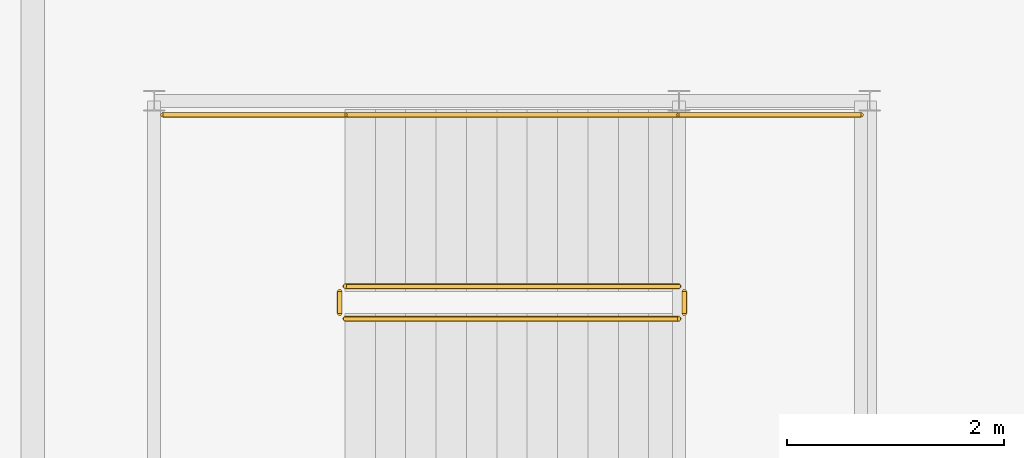
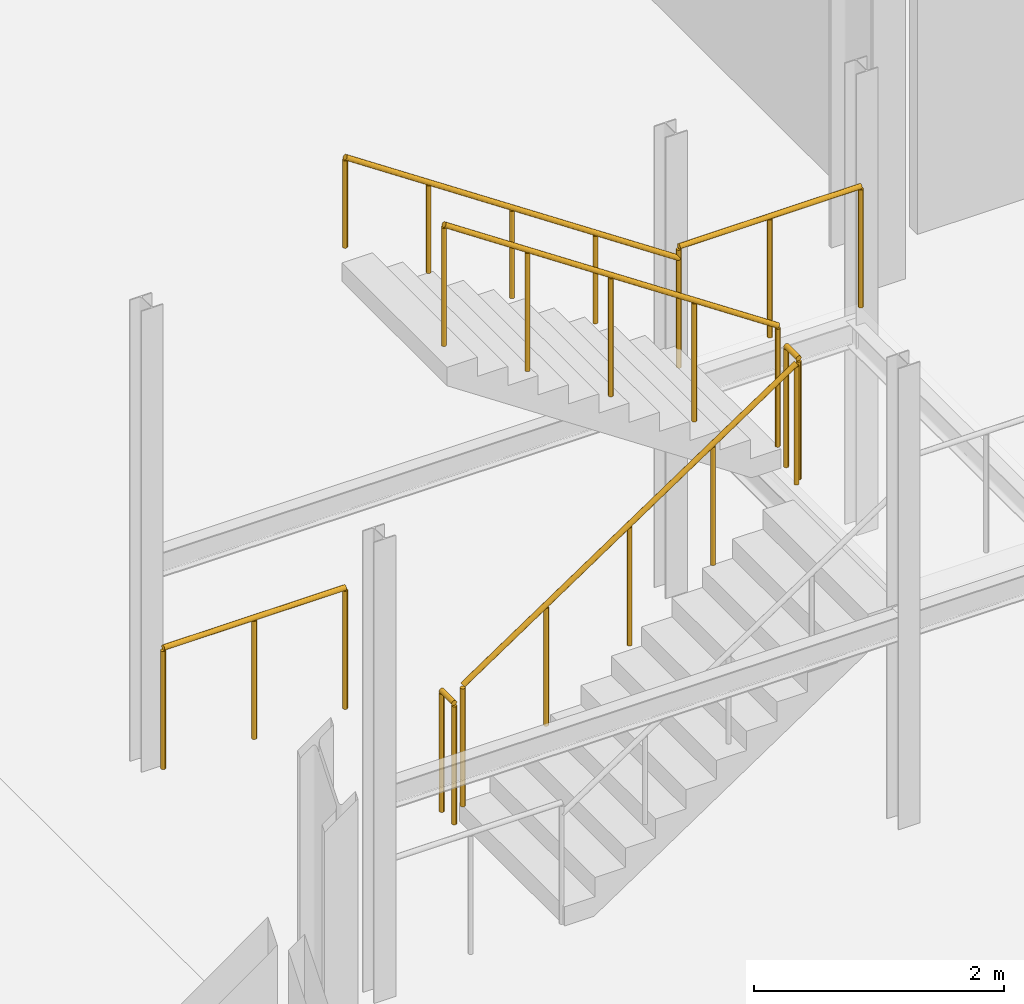
# One storey, part 73 of 78: 7 railings.
"""IFC4 building model written with IfcOpenShell, lengths in metres."""

from ifc_helpers import new_model, si_unit, direction, frame, origin, origin_2d, place, context, subcontext, project, spatial, circle, extrude, material, type_object, element, save


model = new_model("IFC4")

# Units and contexts
model_context = context("Model", 3, precision=1e-05, world=origin(), true_north=direction((0.0, 1.0)))
body_context = subcontext(model_context, "Body", "Model", "MODEL_VIEW")
ifc_project = project(units=[si_unit("LENGTHUNIT", "METRE"), si_unit("AREAUNIT", "SQUARE_METRE"), si_unit("VOLUMEUNIT", "CUBIC_METRE"), si_unit("PLANEANGLEUNIT", "RADIAN"), si_unit("MASSUNIT", "GRAM", prefix="KILO")], contexts=[model_context])

# Site, building, storey
site_placement = place(None, origin())
site = spatial("IfcSite", under=ifc_project, at=site_placement, CompositionType="ELEMENT")
building_placement = place(site_placement, origin())
building = spatial("IfcBuilding", under=site, at=building_placement, Name="Alderhovde Museum", CompositionType="ELEMENT")
storey_placement = place(building_placement, origin())
storey = spatial("IfcBuildingStorey", under=building, at=storey_placement, Name="L00", CompositionType="ELEMENT", Elevation=0.0)

# Railings
ifc_material_1 = material(Name="Painted Steel S355 Guardrail", Category="steel")
railing_type_1 = type_object("IfcRailingType", Name="RL-GUARD-1200", PredefinedType="GUARDRAIL", material=ifc_material_1)
railing_1_placement = place(storey_placement, frame((79.679931640625, 74.830078125, 0.1875)))
element("IfcRailing", 1, at=railing_1_placement, inside=storey, type_object=railing_type_1, Name="L00 ST5 stair guard 1", PredefinedType="GUARDRAIL", context=body_context, shape_type="SweptSolid", body=[
    extrude(circle(Radius=0.02392578125, at=origin_2d()), frame((0.0, 0.0, 1.17578125), z_axis=(0.830913701846, 0.0, 0.55640131208), x_axis=(0.0, 1.0, 0.0)), (0.0, 0.0, 1.0), 3.706787109375),
    extrude(circle(Radius=0.02099609375, at=origin_2d()), origin(), (0.0, 0.0, 1.0), 1.15185546875),
    extrude(circle(Radius=0.02099609375, at=origin_2d()), frame((0.77001953125, 0.0, 0.515625)), (0.0, 0.0, 1.0), 1.15185546875),
    extrude(circle(Radius=0.02099609375, at=origin_2d()), frame((1.5400390625, 0.0, 1.03125)), (0.0, 0.0, 1.0), 1.15185546875),
    extrude(circle(Radius=0.02099609375, at=origin_2d()), frame((2.31005859375, 0.0, 1.546875)), (0.0, 0.0, 1.0), 1.15185546875),
    extrude(circle(Radius=0.02099609375, at=origin_2d()), frame((3.080078125, 0.0, 2.0625)), (0.0, 0.0, 1.0), 1.15185546875),
])
railing_2_placement = place(storey_placement, frame((82.81005859375, 74.8798828125, 2.25)))
element("IfcRailing", 2, at=railing_2_placement, inside=storey, type_object=railing_type_1, Name="L00 ST5 stair guard 2", PredefinedType="GUARDRAIL", context=body_context, shape_type="SweptSolid", body=[
    extrude(circle(Radius=0.02392578125, at=origin_2d()), frame((0.0, 0.0, 1.17578125), z_axis=(0.0, 1.0, 0.0), x_axis=(-1.0, 0.0, 0.0)), (0.0, 0.0, 1.0), 0.2001953125),
    extrude(circle(Radius=0.02099609375, at=origin_2d()), origin(), (0.0, 0.0, 1.0), 1.15185546875),
    extrude(circle(Radius=0.02099609375, at=origin_2d()), frame((0.0, 0.2001953125, 0.0)), (0.0, 0.0, 1.0), 1.15185546875),
])
railing_3_placement = place(storey_placement, frame((82.760009765625, 76.7099609375, 2.25)))
element("IfcRailing", 3, at=railing_3_placement, inside=storey, type_object=railing_type_1, Name="L00 ST5 stair guard 4", PredefinedType="GUARDRAIL", context=body_context, shape_type="SweptSolid", body=[
    extrude(circle(Radius=0.02392578125, at=origin_2d()), frame((0.0, 0.0, 1.17578125), z_axis=(1.0, 0.0, 0.0), x_axis=(0.0, 1.0, 0.0)), (0.0, 0.0, 1.0), 1.679931640625),
    extrude(circle(Radius=0.02099609375, at=origin_2d()), origin(), (0.0, 0.0, 1.0), 1.15185546875),
    extrude(circle(Radius=0.02099609375, at=origin_2d()), frame((0.83984375, 0.0, 0.0)), (0.0, 0.0, 1.0), 1.15185546875),
    extrude(circle(Radius=0.02099609375, at=origin_2d()), frame((1.679931640625, 0.0, 0.0)), (0.0, 0.0, 1.0), 1.15185546875),
])
railing_4_placement = place(storey_placement, frame((82.760009765625, 75.1298828125, 2.4375)))
element("IfcRailing", 4, at=railing_4_placement, inside=storey, type_object=railing_type_1, Name="L00 ST5 stair guard 5", PredefinedType="GUARDRAIL", context=body_context, shape_type="SweptSolid", body=[
    extrude(circle(Radius=0.02392578125, at=origin_2d()), frame((0.0, 0.0, 1.17578125), z_axis=(-0.830913701846, 0.0, 0.55640131208), x_axis=(0.0, -1.0, 0.0)), (0.0, 0.0, 1.0), 3.706787109375),
    extrude(circle(Radius=0.02099609375, at=origin_2d()), origin(), (0.0, 0.0, 1.0), 1.15185546875),
    extrude(circle(Radius=0.02099609375, at=origin_2d()), frame((-0.77001953125, 0.0, 0.515625)), (0.0, 0.0, 1.0), 1.15185546875),
    extrude(circle(Radius=0.02099609375, at=origin_2d()), frame((-1.5400390625, 0.0, 1.03125)), (0.0, 0.0, 1.0), 1.15185546875),
    extrude(circle(Radius=0.02099609375, at=origin_2d()), frame((-2.31005859375, 0.0, 1.546875)), (0.0, 0.0, 1.0), 1.15185546875),
    extrude(circle(Radius=0.02099609375, at=origin_2d()), frame((-3.080078125, 0.0, 2.0625)), (0.0, 0.0, 1.0), 1.15185546875),
])
railing_5_placement = place(storey_placement, frame((79.6298828125, 74.8798828125, 0.0)))
element("IfcRailing", 5, at=railing_5_placement, inside=storey, type_object=railing_type_1, Name="L00 ST5 stair guard 6", PredefinedType="GUARDRAIL", context=body_context, shape_type="SweptSolid", body=[
    extrude(circle(Radius=0.02392578125, at=origin_2d()), frame((0.0, 0.0, 1.17578125), z_axis=(0.0, 1.0, 0.0), x_axis=(-1.0, 0.0, 0.0)), (0.0, 0.0, 1.0), 0.2001953125),
    extrude(circle(Radius=0.02099609375, at=origin_2d()), origin(), (0.0, 0.0, 1.0), 1.15185546875),
    extrude(circle(Radius=0.02099609375, at=origin_2d()), frame((0.0, 0.2001953125, 0.0)), (0.0, 0.0, 1.0), 1.15185546875),
])
railing_6_placement = place(storey_placement, frame((78.0, 76.7099609375, 0.0)))
element("IfcRailing", 6, at=railing_6_placement, inside=storey, type_object=railing_type_1, Name="L00 ST5 stair guard 8", PredefinedType="GUARDRAIL", context=body_context, shape_type="SweptSolid", body=[
    extrude(circle(Radius=0.02392578125, at=origin_2d()), frame((0.0, 0.0, 1.17578125), z_axis=(1.0, 0.0, 0.0), x_axis=(0.0, 1.0, 0.0)), (0.0, 0.0, 1.0), 1.679931640625),
    extrude(circle(Radius=0.02099609375, at=origin_2d()), origin(), (0.0, 0.0, 1.0), 1.15185546875),
    extrude(circle(Radius=0.02099609375, at=origin_2d()), frame((0.83984375, 0.0, 0.0)), (0.0, 0.0, 1.0), 1.15185546875),
    extrude(circle(Radius=0.02099609375, at=origin_2d()), frame((1.679931640625, 0.0, 0.0)), (0.0, 0.0, 1.0), 1.15185546875),
])
ifc_material_2 = material(Name="Brushed Stainless Steel Handrail", Category="steel")
railing_type_2 = type_object("IfcRailingType", Name="RL-HANDRAIL-900", PredefinedType="HANDRAIL", material=ifc_material_2)
railing_7_placement = place(storey_placement, frame((82.760009765625, 76.7099609375, 2.4375)))
element("IfcRailing", 7, at=railing_7_placement, inside=storey, type_object=railing_type_2, Name="L00 ST5 stair handrail 2", PredefinedType="HANDRAIL", context=body_context, shape_type="SweptSolid", body=[
    extrude(circle(Radius=0.02392578125, at=origin_2d()), frame((0.0, 0.0, 0.8759765625), z_axis=(-0.830913701846, 0.0, 0.55640131208), x_axis=(0.0, -1.0, 0.0)), (0.0, 0.0, 1.0), 3.706787109375),
    extrude(circle(Radius=0.02099609375, at=origin_2d()), origin(), (0.0, 0.0, 1.0), 0.851806640625),
    extrude(circle(Radius=0.02099609375, at=origin_2d()), frame((-0.77001953125, 0.0, 0.515625)), (0.0, 0.0, 1.0), 0.851806640625),
    extrude(circle(Radius=0.02099609375, at=origin_2d()), frame((-1.5400390625, 0.0, 1.03125)), (0.0, 0.0, 1.0), 0.851806640625),
    extrude(circle(Radius=0.02099609375, at=origin_2d()), frame((-2.31005859375, 0.0, 1.546875)), (0.0, 0.0, 1.0), 0.851806640625),
    extrude(circle(Radius=0.02099609375, at=origin_2d()), frame((-3.080078125, 0.0, 2.0625)), (0.0, 0.0, 1.0), 0.851806640625),
])

save(model, "model.ifc")
